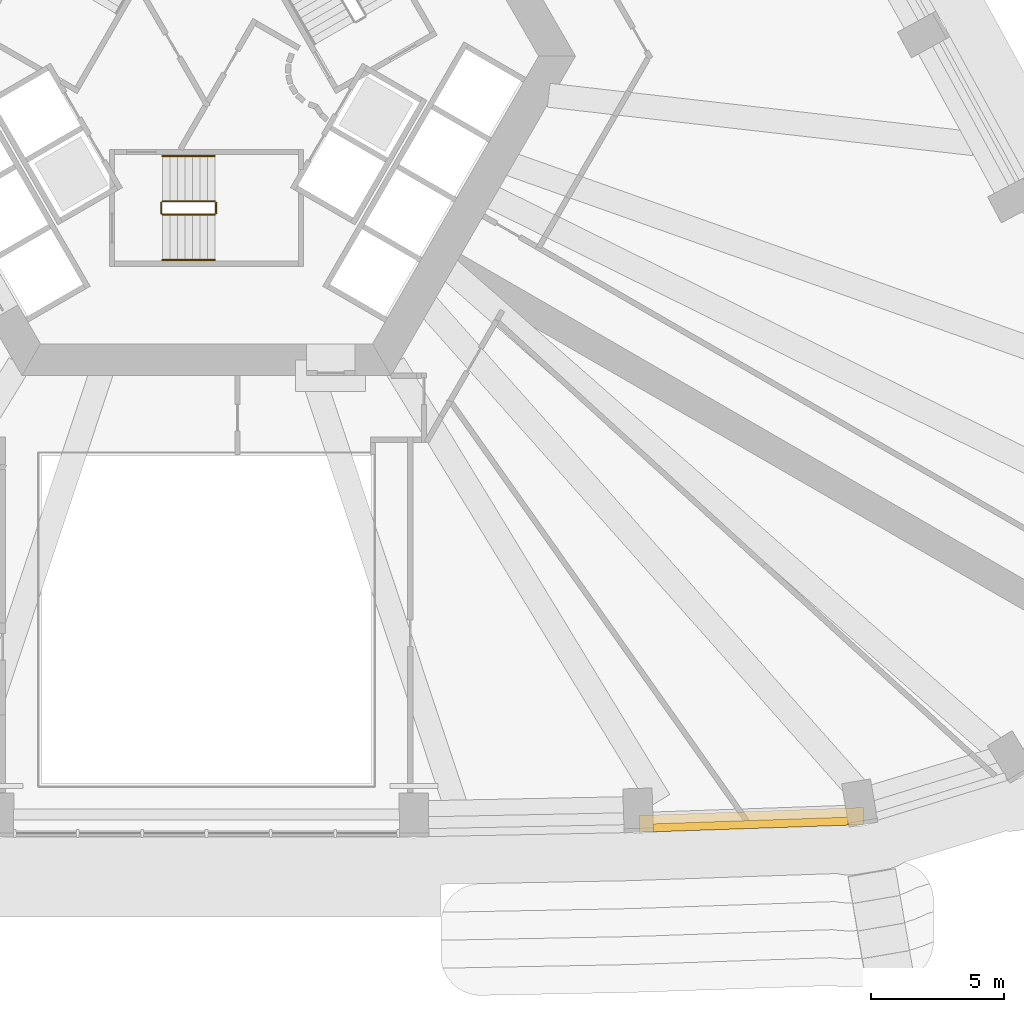
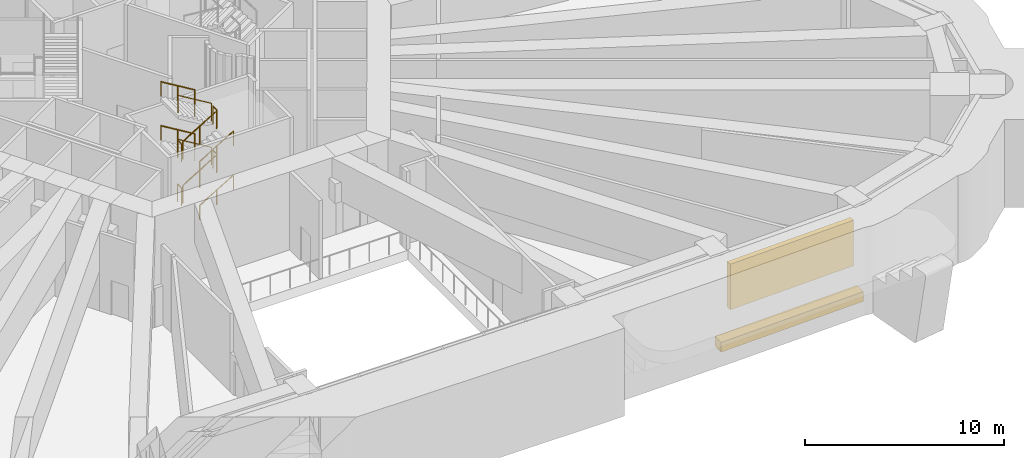
# One storey, part 15 of 20: 12 railings, 1 covering, 1 shading device.
"""IFC4 building model written with IfcOpenShell, lengths in metres."""

from ifc_helpers import new_model, si_unit, direction, frame, origin, origin_2d, place, context, subcontext, project, spatial, polyline, rectangle, circle, outline, extrude, material, layer, layer_set, type_object, element, save


model = new_model("IFC4")

# Units and contexts
model_context = context("Model", 3, precision=1e-05, world=origin(), true_north=direction((0.0, 1.0)))
body_context = subcontext(model_context, "Body", "Model", "MODEL_VIEW")
ifc_project = project(units=[si_unit("LENGTHUNIT", "METRE"), si_unit("AREAUNIT", "SQUARE_METRE"), si_unit("VOLUMEUNIT", "CUBIC_METRE"), si_unit("PLANEANGLEUNIT", "RADIAN"), si_unit("MASSUNIT", "GRAM", prefix="KILO")], contexts=[model_context])

# Site, building, storey
site_placement = place(None, origin())
site = spatial("IfcSite", under=ifc_project, at=site_placement, CompositionType="ELEMENT")
building_placement = place(site_placement, origin())
building = spatial("IfcBuilding", under=site, at=building_placement, Name="Entoto Arch Interchange Tower", CompositionType="ELEMENT")
storey_placement = place(building_placement, frame((0.0, 0.0, 184.39990234375)))
storey = spatial("IfcBuildingStorey", under=building, at=storey_placement, Name="L41", CompositionType="ELEMENT", Elevation=184.39990234375)

# Shading device
ifc_material_1 = material(Name="Aluminium, anodised", Category="aluminium")
ifc_layer = layer(ifc_material_1, 0.300048828125)
ifc_layer_set = layer_set([ifc_layer], Name="Aluminium, anodised")
shading_device_type = type_object("IfcShadingDeviceType", Name="PLANT LOUVRE ALUMINIUM", PredefinedType="JALOUSIE", material=ifc_layer_set)
shading_device_placement = place(storey_placement, frame((20.43408203125, -26.35205078125, 1.2001953125), z_axis=(0.0, 0.0, 1.0), x_axis=(0.999411360835, 0.034306440137, 0.0)))
element("IfcShadingDevice", 1, at=shading_device_placement, inside=storey, type_object=shading_device_type, Name="Plant louvre S-05 L41", PredefinedType="JALOUSIE", context=body_context, shape_type="SweptSolid", body=[
    extrude(rectangle(XDim=7.31591796875, YDim=0.300048828125, at=origin_2d()), origin(), (0.0, 0.0, 1.0), 2.800048828125),
])

# Covering
ifc_material_2 = material(Name="Board-marked precast concrete C50/60", Category="concrete")
covering_type = type_object("IfcCoveringType", Name="PRECAST LEDGE COURSE", PredefinedType="CLADDING", material=ifc_material_2)
covering_placement = place(storey_placement, frame((0.0, 0.0, -1.199951171875)))
element("IfcCovering", 2, at=covering_placement, inside=storey, type_object=covering_type, Name="Precast course S-05 L41", PredefinedType="CLADDING", context=body_context, shape_type="SweptSolid", body=[
    extrude(outline(polyline([(24.6689453125, -25.7119140625), (24.6689453125, -26.35693359375), (16.23388671875, -26.64697265625), (16.23388671875, -26.012939453125), (24.6689453125, -25.7119140625)])), origin(), (0.0, 0.0, 1.0), 0.60009765625),
])

# Railings
ifc_material_3 = material(Name="Stainless steel 1.4301", Category="steel")
railing_type_1 = type_object("IfcRailingType", Name="STAIR GUARD 1100 STEEL", PredefinedType="GUARDRAIL", material=ifc_material_3)
railing_1_placement = place(storey_placement, frame((-1.64990234375, -3.449951171875, 0.1689453125)))
element("IfcRailing", 3, at=railing_1_placement, inside=storey, type_object=railing_type_1, Name="L41 ST-S stair guard 1", PredefinedType="GUARDRAIL", context=body_context, shape_type="SweptSolid", body=[
    extrude(circle(Radius=0.02392578125, at=origin_2d()), frame((0.0, 0.0, 1.076171875), z_axis=(0.856493463811, 0.0, 0.516157869696), x_axis=(0.0, 1.0, 0.0)), (0.0, 0.0, 1.0), 2.288330078125),
    extrude(circle(Radius=0.02099609375, at=origin_2d()), origin(), (0.0, 0.0, 1.0), 1.052001953125),
    extrude(circle(Radius=0.02099609375, at=origin_2d()), frame((0.97998046875, 0.0, 0.590576171875)), (0.0, 0.0, 1.0), 1.052001953125),
    extrude(circle(Radius=0.02099609375, at=origin_2d()), frame((1.9599609375, 0.0, 1.18115234375)), (0.0, 0.0, 1.0), 1.052001953125),
])
railing_2_placement = place(storey_placement, frame((0.360107421875, -3.39990234375, 1.35009765625)))
element("IfcRailing", 4, at=railing_2_placement, inside=storey, type_object=railing_type_1, Name="L41 ST-S stair guard 2", PredefinedType="GUARDRAIL", context=body_context, shape_type="SweptSolid", body=[
    extrude(circle(Radius=0.02392578125, at=origin_2d()), frame((0.0, 0.0, 1.076171875), z_axis=(0.0, 1.0, 0.0), x_axis=(-1.0, 0.0, 0.0)), (0.0, 0.0, 1.0), 0.39990234375),
    extrude(circle(Radius=0.02099609375, at=origin_2d()), origin(), (0.0, 0.0, 1.0), 1.052001953125),
    extrude(circle(Radius=0.02099609375, at=origin_2d()), frame((0.0, 0.39990234375, 0.0)), (0.0, 0.0, 1.0), 1.052001953125),
])
railing_3_placement = place(storey_placement, frame((0.31005859375, -2.949951171875, 1.518798828125)))
element("IfcRailing", 5, at=railing_3_placement, inside=storey, type_object=railing_type_1, Name="L41 ST-S stair guard 3", PredefinedType="GUARDRAIL", context=body_context, shape_type="SweptSolid", body=[
    extrude(circle(Radius=0.02392578125, at=origin_2d()), frame((0.0, 0.0, 1.076171875), z_axis=(-0.856446297458, 0.0, 0.516236127728), x_axis=(0.0, -1.0, 0.0)), (0.0, 0.0, 1.0), 2.28857421875),
    extrude(circle(Radius=0.02099609375, at=origin_2d()), origin(), (0.0, 0.0, 1.0), 1.052001953125),
    extrude(circle(Radius=0.02099609375, at=origin_2d()), frame((-0.97998046875, 0.0, 0.5908203125)), (0.0, 0.0, 1.0), 1.052001953125),
    extrude(circle(Radius=0.02099609375, at=origin_2d()), frame((-1.9599609375, 0.0, 1.181396484375)), (0.0, 0.0, 1.0), 1.052001953125),
])
railing_4_placement = place(storey_placement, frame((-1.699951171875, -3.39990234375, 2.7001953125)))
element("IfcRailing", 6, at=railing_4_placement, inside=storey, type_object=railing_type_1, Name="L41 ST-S stair guard 4", PredefinedType="GUARDRAIL", context=body_context, shape_type="SweptSolid", body=[
    extrude(circle(Radius=0.02392578125, at=origin_2d()), frame((0.0, 0.0, 1.076171875), z_axis=(0.0, 1.0, 0.0), x_axis=(-1.0, 0.0, 0.0)), (0.0, 0.0, 1.0), 0.39990234375),
    extrude(circle(Radius=0.02099609375, at=origin_2d()), origin(), (0.0, 0.0, 1.0), 1.052001953125),
    extrude(circle(Radius=0.02099609375, at=origin_2d()), frame((0.0, 0.39990234375, 0.0)), (0.0, 0.0, 1.0), 1.052001953125),
])
railing_5_placement = place(storey_placement, frame((-1.64990234375, -3.449951171875, 2.868896484375)))
element("IfcRailing", 7, at=railing_5_placement, inside=storey, type_object=railing_type_1, Name="L41 ST-S stair guard 5", PredefinedType="GUARDRAIL", context=body_context, shape_type="SweptSolid", body=[
    extrude(circle(Radius=0.02392578125, at=origin_2d()), frame((0.0, 0.0, 1.076171875), z_axis=(0.856493463811, 0.0, 0.516157869696), x_axis=(0.0, 1.0, 0.0)), (0.0, 0.0, 1.0), 2.288330078125),
    extrude(circle(Radius=0.02099609375, at=origin_2d()), origin(), (0.0, 0.0, 1.0), 1.052001953125),
    extrude(circle(Radius=0.02099609375, at=origin_2d()), frame((0.97998046875, 0.0, 0.590576171875)), (0.0, 0.0, 1.0), 1.052001953125),
    extrude(circle(Radius=0.02099609375, at=origin_2d()), frame((1.9599609375, 0.0, 1.18115234375)), (0.0, 0.0, 1.0), 1.052001953125),
])
railing_6_placement = place(storey_placement, frame((0.360107421875, -3.39990234375, 4.050048828125)))
element("IfcRailing", 8, at=railing_6_placement, inside=storey, type_object=railing_type_1, Name="L41 ST-S stair guard 6", PredefinedType="GUARDRAIL", context=body_context, shape_type="SweptSolid", body=[
    extrude(circle(Radius=0.02392578125, at=origin_2d()), frame((0.0, 0.0, 1.076171875), z_axis=(0.0, 1.0, 0.0), x_axis=(-1.0, 0.0, 0.0)), (0.0, 0.0, 1.0), 0.39990234375),
    extrude(circle(Radius=0.02099609375, at=origin_2d()), origin(), (0.0, 0.0, 1.0), 1.052001953125),
    extrude(circle(Radius=0.02099609375, at=origin_2d()), frame((0.0, 0.39990234375, 0.0)), (0.0, 0.0, 1.0), 1.052001953125),
])
railing_7_placement = place(storey_placement, frame((0.31005859375, -2.949951171875, 4.21875)))
element("IfcRailing", 9, at=railing_7_placement, inside=storey, type_object=railing_type_1, Name="L41 ST-S stair guard 7", PredefinedType="GUARDRAIL", context=body_context, shape_type="SweptSolid", body=[
    extrude(circle(Radius=0.02392578125, at=origin_2d()), frame((0.0, 0.0, 1.076171875), z_axis=(-0.856446297458, 0.0, 0.516236127728), x_axis=(0.0, -1.0, 0.0)), (0.0, 0.0, 1.0), 2.28857421875),
    extrude(circle(Radius=0.02099609375, at=origin_2d()), origin(), (0.0, 0.0, 1.0), 1.052001953125),
    extrude(circle(Radius=0.02099609375, at=origin_2d()), frame((-0.97998046875, 0.0, 0.5908203125)), (0.0, 0.0, 1.0), 1.052001953125),
    extrude(circle(Radius=0.02099609375, at=origin_2d()), frame((-1.9599609375, 0.0, 1.181396484375)), (0.0, 0.0, 1.0), 1.052001953125),
])
railing_8_placement = place(storey_placement, frame((-1.699951171875, -3.39990234375, 0.0)))
element("IfcRailing", 10, at=railing_8_placement, inside=storey, type_object=railing_type_1, Name="L41 ST-S stair guard 8", PredefinedType="GUARDRAIL", context=body_context, shape_type="SweptSolid", body=[
    extrude(circle(Radius=0.02392578125, at=origin_2d()), frame((0.0, 0.0, 1.076171875), z_axis=(0.0, 1.0, 0.0), x_axis=(-1.0, 0.0, 0.0)), (0.0, 0.0, 1.0), 0.39990234375),
    extrude(circle(Radius=0.02099609375, at=origin_2d()), origin(), (0.0, 0.0, 1.0), 1.052001953125),
    extrude(circle(Radius=0.02099609375, at=origin_2d()), frame((0.0, 0.39990234375, 0.0)), (0.0, 0.0, 1.0), 1.052001953125),
])
railing_type_2 = type_object("IfcRailingType", Name="STAIR HANDRAIL 900 STEEL", PredefinedType="HANDRAIL", material=ifc_material_3)
railing_9_placement = place(storey_placement, frame((-1.64990234375, -5.14990234375, 0.1689453125)))
element("IfcRailing", 11, at=railing_9_placement, inside=storey, type_object=railing_type_2, Name="L41 ST-S stair handrail 1", PredefinedType="HANDRAIL", context=body_context, shape_type="SweptSolid", body=[
    extrude(circle(Radius=0.02392578125, at=origin_2d()), frame((0.0, 0.0, 0.8759765625), z_axis=(0.856493463811, 0.0, 0.516157869696), x_axis=(0.0, 1.0, 0.0)), (0.0, 0.0, 1.0), 2.288330078125),
    extrude(circle(Radius=0.02099609375, at=origin_2d()), origin(), (0.0, 0.0, 1.0), 0.851806640625),
    extrude(circle(Radius=0.02099609375, at=origin_2d()), frame((0.97998046875, 0.0, 0.590576171875)), (0.0, 0.0, 1.0), 0.851806640625),
    extrude(circle(Radius=0.02099609375, at=origin_2d()), frame((1.9599609375, 0.0, 1.18115234375)), (0.0, 0.0, 1.0), 0.851806640625),
])
railing_10_placement = place(storey_placement, frame((0.31005859375, -1.25, 1.518798828125)))
element("IfcRailing", 12, at=railing_10_placement, inside=storey, type_object=railing_type_2, Name="L41 ST-S stair handrail 2", PredefinedType="HANDRAIL", context=body_context, shape_type="SweptSolid", body=[
    extrude(circle(Radius=0.02392578125, at=origin_2d()), frame((0.0, 0.0, 0.8759765625), z_axis=(-0.856446297458, 0.0, 0.516236127728), x_axis=(0.0, -1.0, 0.0)), (0.0, 0.0, 1.0), 2.28857421875),
    extrude(circle(Radius=0.02099609375, at=origin_2d()), origin(), (0.0, 0.0, 1.0), 0.851806640625),
    extrude(circle(Radius=0.02099609375, at=origin_2d()), frame((-0.97998046875, 0.0, 0.5908203125)), (0.0, 0.0, 1.0), 0.851806640625),
    extrude(circle(Radius=0.02099609375, at=origin_2d()), frame((-1.9599609375, 0.0, 1.181396484375)), (0.0, 0.0, 1.0), 0.851806640625),
])
railing_11_placement = place(storey_placement, frame((-1.64990234375, -5.14990234375, 2.868896484375)))
element("IfcRailing", 13, at=railing_11_placement, inside=storey, type_object=railing_type_2, Name="L41 ST-S stair handrail 3", PredefinedType="HANDRAIL", context=body_context, shape_type="SweptSolid", body=[
    extrude(circle(Radius=0.02392578125, at=origin_2d()), frame((0.0, 0.0, 0.8759765625), z_axis=(0.856493463811, 0.0, 0.516157869696), x_axis=(0.0, 1.0, 0.0)), (0.0, 0.0, 1.0), 2.288330078125),
    extrude(circle(Radius=0.02099609375, at=origin_2d()), origin(), (0.0, 0.0, 1.0), 0.851806640625),
    extrude(circle(Radius=0.02099609375, at=origin_2d()), frame((0.97998046875, 0.0, 0.590576171875)), (0.0, 0.0, 1.0), 0.851806640625),
    extrude(circle(Radius=0.02099609375, at=origin_2d()), frame((1.9599609375, 0.0, 1.18115234375)), (0.0, 0.0, 1.0), 0.851806640625),
])
railing_12_placement = place(storey_placement, frame((0.31005859375, -1.25, 4.21875)))
element("IfcRailing", 14, at=railing_12_placement, inside=storey, type_object=railing_type_2, Name="L41 ST-S stair handrail 4", PredefinedType="HANDRAIL", context=body_context, shape_type="SweptSolid", body=[
    extrude(circle(Radius=0.02392578125, at=origin_2d()), frame((0.0, 0.0, 0.8759765625), z_axis=(-0.856446297458, 0.0, 0.516236127728), x_axis=(0.0, -1.0, 0.0)), (0.0, 0.0, 1.0), 2.28857421875),
    extrude(circle(Radius=0.02099609375, at=origin_2d()), origin(), (0.0, 0.0, 1.0), 0.851806640625),
    extrude(circle(Radius=0.02099609375, at=origin_2d()), frame((-0.97998046875, 0.0, 0.5908203125)), (0.0, 0.0, 1.0), 0.851806640625),
    extrude(circle(Radius=0.02099609375, at=origin_2d()), frame((-1.9599609375, 0.0, 1.181396484375)), (0.0, 0.0, 1.0), 0.851806640625),
])

save(model, "model.ifc")
